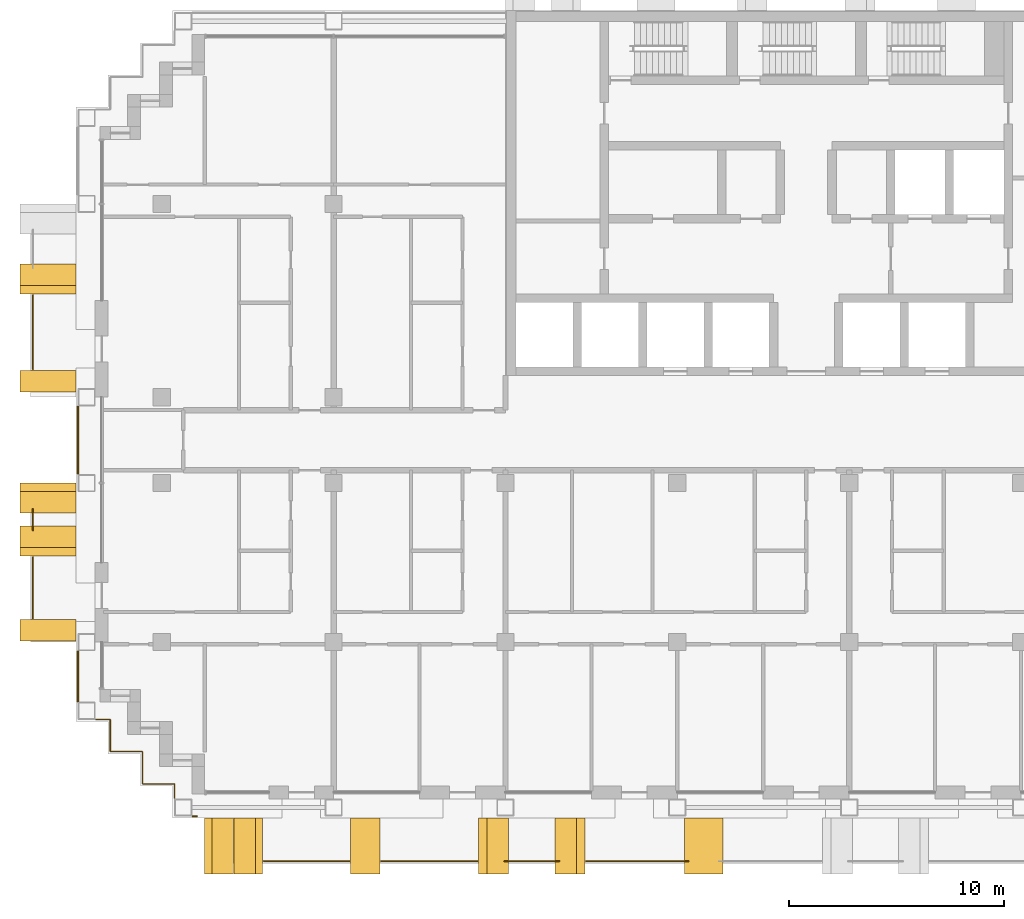
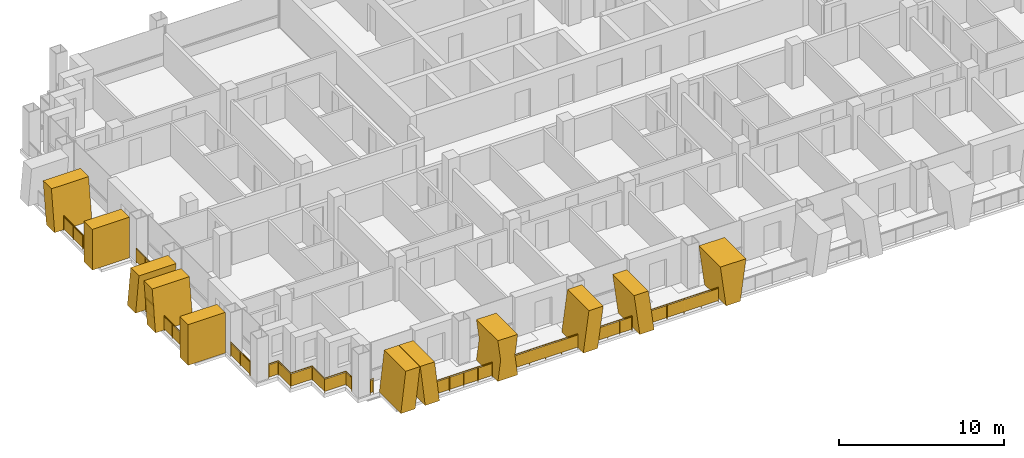
# One storey, part 14 of 17: 11 railings, 11 shading devices.
"""IFC4 building model written with IfcOpenShell, lengths in metres."""

from ifc_helpers import new_model, si_unit, direction, frame, origin, origin_2d, place, context, subcontext, project, spatial, polyline, rectangle, circle, outline, extrude, material, layer, layer_set, type_object, element, save


model = new_model("IFC4")

# Units and contexts
model_context = context("Model", 3, precision=1e-05, world=origin(), true_north=direction((0.0, 1.0)))
body_context = subcontext(model_context, "Body", "Model", "MODEL_VIEW")
ifc_project = project(units=[si_unit("LENGTHUNIT", "METRE"), si_unit("AREAUNIT", "SQUARE_METRE"), si_unit("VOLUMEUNIT", "CUBIC_METRE"), si_unit("PLANEANGLEUNIT", "RADIAN"), si_unit("MASSUNIT", "GRAM", prefix="KILO")], contexts=[model_context])

# Site, building, storey
site_placement = place(None, origin())
site = spatial("IfcSite", under=ifc_project, at=site_placement, CompositionType="ELEMENT")
building_placement = place(site_placement, origin())
building = spatial("IfcBuilding", under=site, at=building_placement, Name="Vidyagriha Tower", CompositionType="ELEMENT")
storey_placement = place(building_placement, frame((0.0, 0.0, 119.800048828125)))
storey = spatial("IfcBuildingStorey", under=building, at=storey_placement, Name="L30", CompositionType="ELEMENT", Elevation=119.800048828125)

# Railings
ifc_material_1 = material(Name="Steel ASTM A500 Grade C black painted", Category="steel")
railing_type_1 = type_object("IfcRailingType", Name="Balcony guard 1100", PredefinedType="BALUSTRADE", material=ifc_material_1)
railing_1_placement = place(storey_placement, frame((-36.0, 6.75, 0.0)))
element("IfcRailing", 1, at=railing_1_placement, inside=storey, type_object=railing_type_1, Name="Balcony guard L30 R16.1-2", PredefinedType="BALUSTRADE", context=body_context, shape_type="SweptSolid", body=[
    extrude(circle(Radius=0.02490234375, at=origin_2d()), frame((0.0, 0.0, 1.0751953125), z_axis=(0.0, -1.0, 0.0), x_axis=(1.0, 0.0, 0.0)), (0.0, 0.0, 1.0), 3.449951171875),
    extrude(circle(Radius=0.02001953125, at=origin_2d()), origin(), (0.0, 0.0, 1.0), 1.050048828125),
    extrude(circle(Radius=0.02001953125, at=origin_2d()), frame((0.0, -1.14990234375, 0.0)), (0.0, 0.0, 1.0), 1.050048828125),
    extrude(circle(Radius=0.02001953125, at=origin_2d()), frame((0.0, -2.300048828125, 0.0)), (0.0, 0.0, 1.0), 1.050048828125),
    extrude(circle(Radius=0.02001953125, at=origin_2d()), frame((0.0, -3.449951171875, 0.0)), (0.0, 0.0, 1.0), 1.050048828125),
    extrude(rectangle(XDim=0.010009765625, YDim=0.900146484375, at=origin_2d()), frame((0.0, 0.0, 0.550048828125), z_axis=(0.0, -1.0, 0.0), x_axis=(1.0, 0.0, 0.0)), (0.0, 0.0, 1.0), 3.449951171875),
])
railing_2_placement = place(storey_placement, frame((-36.0, -3.203369140625, 0.0)))
element("IfcRailing", 2, at=railing_2_placement, inside=storey, type_object=railing_type_1, Name="Balcony guard L30 R16.2-1", PredefinedType="BALUSTRADE", context=body_context, shape_type="SweptSolid", body=[
    extrude(circle(Radius=0.02490234375, at=origin_2d()), frame((0.0, 0.0, 1.0751953125), z_axis=(0.0, -1.0, 0.0), x_axis=(1.0, 0.0, 0.0)), (0.0, 0.0, 1.0), 0.993408203125),
    extrude(circle(Radius=0.02001953125, at=origin_2d()), origin(), (0.0, 0.0, 1.0), 1.050048828125),
    extrude(circle(Radius=0.02001953125, at=origin_2d()), frame((0.0, -0.993408203125, 0.0)), (0.0, 0.0, 1.0), 1.050048828125),
    extrude(rectangle(XDim=0.010009765625, YDim=0.900146484375, at=origin_2d()), frame((0.0, 0.0, 0.550048828125), z_axis=(0.0, -1.0, 0.0), x_axis=(1.0, 0.0, 0.0)), (0.0, 0.0, 1.0), 0.993408203125),
])
railing_3_placement = place(storey_placement, frame((-36.0, -5.449951171875, 0.0)))
element("IfcRailing", 3, at=railing_3_placement, inside=storey, type_object=railing_type_1, Name="Balcony guard L30 R16.2-2", PredefinedType="BALUSTRADE", context=body_context, shape_type="SweptSolid", body=[
    extrude(circle(Radius=0.02490234375, at=origin_2d()), frame((0.0, 0.0, 1.0751953125), z_axis=(0.0, -1.0, 0.0), x_axis=(1.0, 0.0, 0.0)), (0.0, 0.0, 1.0), 2.85009765625),
    extrude(circle(Radius=0.02001953125, at=origin_2d()), origin(), (0.0, 0.0, 1.0), 1.050048828125),
    extrude(circle(Radius=0.02001953125, at=origin_2d()), frame((0.0, -0.949951171875, 0.0)), (0.0, 0.0, 1.0), 1.050048828125),
    extrude(circle(Radius=0.02001953125, at=origin_2d()), frame((0.0, -1.900146484375, 0.0)), (0.0, 0.0, 1.0), 1.050048828125),
    extrude(circle(Radius=0.02001953125, at=origin_2d()), frame((0.0, -2.85009765625, 0.0)), (0.0, 0.0, 1.0), 1.050048828125),
    extrude(rectangle(XDim=0.010009765625, YDim=0.900146484375, at=origin_2d()), frame((0.0, 0.0, 0.550048828125), z_axis=(0.0, -1.0, 0.0), x_axis=(1.0, 0.0, 0.0)), (0.0, 0.0, 1.0), 2.85009765625),
])
railing_4_placement = place(storey_placement, frame((-25.25, -19.60009765625, 0.0)))
element("IfcRailing", 4, at=railing_4_placement, inside=storey, type_object=railing_type_1, Name="Balcony guard L30 R23.1-1", PredefinedType="BALUSTRADE", context=body_context, shape_type="SweptSolid", body=[
    extrude(circle(Radius=0.02490234375, at=origin_2d()), frame((0.0, 0.0, 1.0751953125), z_axis=(1.0, 0.0, 0.0), x_axis=(0.0, 1.0, 0.0)), (0.0, 0.0, 1.0), 3.9833984375),
    extrude(circle(Radius=0.02001953125, at=origin_2d()), origin(), (0.0, 0.0, 1.0), 1.050048828125),
    extrude(circle(Radius=0.02001953125, at=origin_2d()), frame((0.995849609375, 0.0, 0.0)), (0.0, 0.0, 1.0), 1.050048828125),
    extrude(circle(Radius=0.02001953125, at=origin_2d()), frame((1.99169921875, 0.0, 0.0)), (0.0, 0.0, 1.0), 1.050048828125),
    extrude(circle(Radius=0.02001953125, at=origin_2d()), frame((2.987548828125, 0.0, 0.0)), (0.0, 0.0, 1.0), 1.050048828125),
    extrude(circle(Radius=0.02001953125, at=origin_2d()), frame((3.9833984375, 0.0, 0.0)), (0.0, 0.0, 1.0), 1.050048828125),
    extrude(rectangle(XDim=0.010009765625, YDim=0.900146484375, at=origin_2d()), frame((0.0, 0.0, 0.550048828125), z_axis=(1.0, 0.0, 0.0), x_axis=(0.0, 1.0, 0.0)), (0.0, 0.0, 1.0), 3.9833984375),
])
railing_5_placement = place(storey_placement, frame((-19.783203125, -19.60009765625, 0.0)))
element("IfcRailing", 5, at=railing_5_placement, inside=storey, type_object=railing_type_1, Name="Balcony guard L30 R23.1-2", PredefinedType="BALUSTRADE", context=body_context, shape_type="SweptSolid", body=[
    extrude(circle(Radius=0.02490234375, at=origin_2d()), frame((0.0, 0.0, 1.0751953125), z_axis=(1.0, 0.0, 0.0), x_axis=(0.0, 1.0, 0.0)), (0.0, 0.0, 1.0), 4.483154296875),
    extrude(circle(Radius=0.02001953125, at=origin_2d()), origin(), (0.0, 0.0, 1.0), 1.050048828125),
    extrude(circle(Radius=0.02001953125, at=origin_2d()), frame((1.120849609375, 0.0, 0.0)), (0.0, 0.0, 1.0), 1.050048828125),
    extrude(circle(Radius=0.02001953125, at=origin_2d()), frame((2.24169921875, 0.0, 0.0)), (0.0, 0.0, 1.0), 1.050048828125),
    extrude(circle(Radius=0.02001953125, at=origin_2d()), frame((3.3623046875, 0.0, 0.0)), (0.0, 0.0, 1.0), 1.050048828125),
    extrude(circle(Radius=0.02001953125, at=origin_2d()), frame((4.483154296875, 0.0, 0.0)), (0.0, 0.0, 1.0), 1.050048828125),
    extrude(rectangle(XDim=0.010009765625, YDim=0.900146484375, at=origin_2d()), frame((0.0, 0.0, 0.550048828125), z_axis=(1.0, 0.0, 0.0), x_axis=(0.0, 1.0, 0.0)), (0.0, 0.0, 1.0), 4.483154296875),
])
railing_6_placement = place(storey_placement, frame((-14.048583984375, -19.60009765625, 0.0)))
element("IfcRailing", 6, at=railing_6_placement, inside=storey, type_object=railing_type_1, Name="Balcony guard L30 R23.1-3", PredefinedType="BALUSTRADE", context=body_context, shape_type="SweptSolid", body=[
    extrude(circle(Radius=0.02490234375, at=origin_2d()), frame((0.0, 0.0, 1.0751953125), z_axis=(1.0, 0.0, 0.0), x_axis=(0.0, 1.0, 0.0)), (0.0, 0.0, 1.0), 2.547119140625),
    extrude(circle(Radius=0.02001953125, at=origin_2d()), origin(), (0.0, 0.0, 1.0), 1.050048828125),
    extrude(circle(Radius=0.02001953125, at=origin_2d()), frame((0.84912109375, 0.0, 0.0)), (0.0, 0.0, 1.0), 1.050048828125),
    extrude(circle(Radius=0.02001953125, at=origin_2d()), frame((1.697998046875, 0.0, 0.0)), (0.0, 0.0, 1.0), 1.050048828125),
    extrude(circle(Radius=0.02001953125, at=origin_2d()), frame((2.547119140625, 0.0, 0.0)), (0.0, 0.0, 1.0), 1.050048828125),
    extrude(rectangle(XDim=0.010009765625, YDim=0.900146484375, at=origin_2d()), frame((0.0, 0.0, 0.550048828125), z_axis=(1.0, 0.0, 0.0), x_axis=(0.0, 1.0, 0.0)), (0.0, 0.0, 1.0), 2.547119140625),
])
railing_7_placement = place(storey_placement, frame((-10.25, -19.60009765625, 0.0)))
element("IfcRailing", 7, at=railing_7_placement, inside=storey, type_object=railing_type_1, Name="Balcony guard L30 R23.1-4", PredefinedType="BALUSTRADE", context=body_context, shape_type="SweptSolid", body=[
    extrude(circle(Radius=0.02490234375, at=origin_2d()), frame((0.0, 0.0, 1.0751953125), z_axis=(1.0, 0.0, 0.0), x_axis=(0.0, 1.0, 0.0)), (0.0, 0.0, 1.0), 4.773681640625),
    extrude(circle(Radius=0.02001953125, at=origin_2d()), origin(), (0.0, 0.0, 1.0), 1.050048828125),
    extrude(circle(Radius=0.02001953125, at=origin_2d()), frame((1.193359375, 0.0, 0.0)), (0.0, 0.0, 1.0), 1.050048828125),
    extrude(circle(Radius=0.02001953125, at=origin_2d()), frame((2.38671875, 0.0, 0.0)), (0.0, 0.0, 1.0), 1.050048828125),
    extrude(circle(Radius=0.02001953125, at=origin_2d()), frame((3.580322265625, 0.0, 0.0)), (0.0, 0.0, 1.0), 1.050048828125),
    extrude(circle(Radius=0.02001953125, at=origin_2d()), frame((4.773681640625, 0.0, 0.0)), (0.0, 0.0, 1.0), 1.050048828125),
    extrude(rectangle(XDim=0.010009765625, YDim=0.900146484375, at=origin_2d()), frame((0.0, 0.0, 0.550048828125), z_axis=(1.0, 0.0, 0.0), x_axis=(0.0, 1.0, 0.0)), (0.0, 0.0, 1.0), 4.773681640625),
])

# Shading devices
ifc_material_2 = material(Name="Precast concrete C40/50 with buff brick facing", Category="concrete")
ifc_layer_1 = layer(ifc_material_2, 1.0)
ifc_layer_set_1 = layer_set([ifc_layer_1], Name="Precast concrete C40/50 with buff brick facing")
shading_device_type_1 = type_object("IfcShadingDeviceType", Name="Brick-faced blade fin arm leaning 8 degrees", PredefinedType="USERDEFINED", material=ifc_layer_set_1)
shading_device_1_placement = place(storey_placement, frame((-35.300048828125, 8.199951171875, 0.0), z_axis=(0.0, 0.0, 1.0), x_axis=(0.0, -1.0, 0.0)))
element("IfcShadingDevice", 8, at=shading_device_1_placement, inside=storey, type_object=shading_device_type_1, Name="Leaning blade fin L30 R16.300b", ObjectType="BLADE FIN", PredefinedType="USERDEFINED", context=body_context, shape_type="SweptSolid", body=[
    extrude(outline(polyline([(0.39990234375, 0.0), (1.39990234375, 0.0), (1.0, 3.0), (0.0, 3.0), (0.39990234375, 0.0)])), frame((0.0, 1.300048828125, 0.0), z_axis=(0.0, -1.0, 0.0), x_axis=(1.0, 0.0, 0.0)), (0.0, 0.0, 1.0), 2.60009765625),
])
shading_device_2_placement = place(storey_placement, frame((-35.300048828125, -2.0, 0.0), z_axis=(0.0, 0.0, 1.0), x_axis=(0.0, -1.0, 0.0)))
element("IfcShadingDevice", 9, at=shading_device_2_placement, inside=storey, type_object=shading_device_type_1, Name="Leaning blade fin L30 R16.1600a", ObjectType="BLADE FIN", PredefinedType="USERDEFINED", context=body_context, shape_type="SweptSolid", body=[
    extrude(outline(polyline([(0.0, 0.0), (1.0, 0.0), (1.39990234375, 3.0), (0.39990234375, 3.0), (0.0, 0.0)])), frame((0.0, 1.300048828125, 0.0), z_axis=(0.0, -1.0, 0.0), x_axis=(1.0, 0.0, 0.0)), (0.0, 0.0, 1.0), 2.60009765625),
])
shading_device_3_placement = place(storey_placement, frame((-35.300048828125, -4.0, 0.0), z_axis=(0.0, 0.0, 1.0), x_axis=(0.0, -1.0, 0.0)))
element("IfcShadingDevice", 10, at=shading_device_3_placement, inside=storey, type_object=shading_device_type_1, Name="Leaning blade fin L30 R16.1600b", ObjectType="BLADE FIN", PredefinedType="USERDEFINED", context=body_context, shape_type="SweptSolid", body=[
    extrude(outline(polyline([(0.39990234375, 0.0), (1.39990234375, 0.0), (1.0, 3.0), (0.0, 3.0), (0.39990234375, 0.0)])), frame((0.0, 1.300048828125, 0.0), z_axis=(0.0, -1.0, 0.0), x_axis=(1.0, 0.0, 0.0)), (0.0, 0.0, 1.0), 2.60009765625),
])
shading_device_4_placement = place(storey_placement, frame((-28.0, -18.89990234375, 0.0)))
element("IfcShadingDevice", 11, at=shading_device_4_placement, inside=storey, type_object=shading_device_type_1, Name="Leaning blade fin L30 R23.0a", ObjectType="BLADE FIN", PredefinedType="USERDEFINED", context=body_context, shape_type="SweptSolid", body=[
    extrude(outline(polyline([(0.0, 0.0), (1.0, 0.0), (1.340087890625, 3.0), (0.340087890625, 3.0), (0.0, 0.0)])), frame((0.0, 1.300048828125, 0.0), z_axis=(0.0, -1.0, 0.0), x_axis=(1.0, 0.0, 0.0)), (0.0, 0.0, 1.0), 2.60009765625),
])
shading_device_5_placement = place(storey_placement, frame((-26.639892578125, -18.89990234375, 0.0)))
element("IfcShadingDevice", 12, at=shading_device_5_placement, inside=storey, type_object=shading_device_type_1, Name="Leaning blade fin L30 R23.0b", ObjectType="BLADE FIN", PredefinedType="USERDEFINED", context=body_context, shape_type="SweptSolid", body=[
    extrude(outline(polyline([(0.340087890625, 0.0), (1.340087890625, 0.0), (1.0, 3.0), (0.0, 3.0), (0.340087890625, 0.0)])), frame((0.0, 1.300048828125, 0.0), z_axis=(0.0, -1.0, 0.0), x_axis=(1.0, 0.0, 0.0)), (0.0, 0.0, 1.0), 2.60009765625),
])
shading_device_6_placement = place(storey_placement, frame((-15.25, -18.89990234375, 0.0)))
element("IfcShadingDevice", 13, at=shading_device_6_placement, inside=storey, type_object=shading_device_type_1, Name="Leaning blade fin L30 R23.1400a", ObjectType="BLADE FIN", PredefinedType="USERDEFINED", context=body_context, shape_type="SweptSolid", body=[
    extrude(outline(polyline([(0.0, 0.0), (1.0, 0.0), (1.39501953125, 3.0), (0.39501953125, 3.0), (0.0, 0.0)])), frame((0.0, 1.300048828125, 0.0), z_axis=(0.0, -1.0, 0.0), x_axis=(1.0, 0.0, 0.0)), (0.0, 0.0, 1.0), 2.60009765625),
])
shading_device_7_placement = place(storey_placement, frame((-11.695068359375, -18.89990234375, 0.0)))
element("IfcShadingDevice", 14, at=shading_device_7_placement, inside=storey, type_object=shading_device_type_1, Name="Leaning blade fin L30 R23.1400b", ObjectType="BLADE FIN", PredefinedType="USERDEFINED", context=body_context, shape_type="SweptSolid", body=[
    extrude(outline(polyline([(0.39501953125, 0.0), (1.39501953125, 0.0), (1.0, 3.0), (0.0, 3.0), (0.39501953125, 0.0)])), frame((0.0, 1.300048828125, 0.0), z_axis=(0.0, -1.0, 0.0), x_axis=(1.0, 0.0, 0.0)), (0.0, 0.0, 1.0), 2.60009765625),
])
ifc_material_3 = material(Name="Precast concrete C40/50 with buff brick facing", Category="concrete")
ifc_layer_2 = layer(ifc_material_3, 1.0)
ifc_layer_set_2 = layer_set([ifc_layer_2], Name="Precast concrete C40/50 with buff brick facing")
shading_device_type_2 = type_object("IfcShadingDeviceType", Name="Brick-faced blade fin forking 8 degrees", PredefinedType="USERDEFINED", material=ifc_layer_set_2)
shading_device_8_placement = place(storey_placement, frame((-21.216796875, -18.89990234375, 0.0)))
element("IfcShadingDevice", 15, at=shading_device_8_placement, inside=storey, type_object=shading_device_type_2, Name="Forked blade fin L30 R23.600a", ObjectType="BLADE FIN", PredefinedType="USERDEFINED", context=body_context, shape_type="SweptSolid", body=[
    extrude(outline(polyline([(0.0, 0.0), (1.38330078125, 0.0), (1.191650390625, 1.5), (1.38330078125, 3.0), (0.0, 3.0), (0.191650390625, 1.5), (0.0, 0.0)])), frame((0.0, 1.300048828125, 0.0), z_axis=(0.0, -1.0, 0.0), x_axis=(1.0, 0.0, 0.0)), (0.0, 0.0, 1.0), 2.60009765625),
])
shading_device_9_placement = place(storey_placement, frame((-5.669921875, -18.89990234375, 0.0)))
element("IfcShadingDevice", 16, at=shading_device_9_placement, inside=storey, type_object=shading_device_type_2, Name="Forked blade fin L30 R23.2200a", ObjectType="BLADE FIN", PredefinedType="USERDEFINED", context=body_context, shape_type="SweptSolid", body=[
    extrude(outline(polyline([(0.39501953125, 0.0), (1.39501953125, 0.0), (1.7900390625, 3.0), (0.0, 3.0), (0.39501953125, 0.0)])), frame((0.0, 1.300048828125, 0.0), z_axis=(0.0, -1.0, 0.0), x_axis=(1.0, 0.0, 0.0)), (0.0, 0.0, 1.0), 2.60009765625),
])
ifc_material_4 = material(Name="Precast concrete C40/50 with buff brick facing", Category="concrete")
ifc_layer_3 = layer(ifc_material_4, 1.0)
ifc_layer_set_3 = layer_set([ifc_layer_3], Name="Precast concrete C40/50 with buff brick facing")
shading_device_type_3 = type_object("IfcShadingDeviceType", Name="Brick-faced blade fin stem 1000", PredefinedType="USERDEFINED", material=ifc_layer_set_3)
for number, where, z_axis, x_axis, name in (
    (17, (-35.300048828125, 3.25, 0.0), (0.0, 0.0, 1.0), (0.0, -1.0, 0.0), "Stem blade fin L30 R16.1200a"),
    (18, (-35.300048828125, -8.35009765625, 0.0), (0.0, 0.0, 1.0), (0.0, -1.0, 0.0), "Stem blade fin L30 R16.2340a"),
):
    element("IfcShadingDevice", number, at=place(storey_placement, frame(where, z_axis=z_axis, x_axis=x_axis)), inside=storey, type_object=shading_device_type_3, Name=name, ObjectType="BLADE FIN", PredefinedType="USERDEFINED", context=body_context, shape_type="SweptSolid", body=[
        extrude(outline(polyline([(0.0, 0.0), (1.0, 0.0), (1.0, 3.0), (0.0, 3.0), (0.0, 0.0)])), frame((0.0, 1.300048828125, 0.0), z_axis=(0.0, -1.0, 0.0), x_axis=(1.0, 0.0, 0.0)), (0.0, 0.0, 1.0), 2.60009765625),
    ])

# Railings
ifc_material_5 = material(Name="Steel ASTM A500 Grade C black painted", Category="steel")
railing_type_2 = type_object("IfcRailingType", Name="Gallery guard 1100", PredefinedType="GUARDRAIL", material=ifc_material_5)
railing_8_placement = place(storey_placement, frame((-33.89990234375, -12.169921875, 0.0)))
element("IfcRailing", 19, at=railing_8_placement, inside=storey, type_object=railing_type_2, Name="Gallery guard L30 1", PredefinedType="GUARDRAIL", context=body_context, shape_type="SweptSolid", body=[
    extrude(circle(Radius=0.02490234375, at=origin_2d()), frame((0.0, 0.0, 1.0751953125), z_axis=(0.0, 1.0, 0.0), x_axis=(-1.0, 0.0, 0.0)), (0.0, 0.0, 1.0), 2.33984375),
    extrude(circle(Radius=0.02001953125, at=origin_2d()), origin(), (0.0, 0.0, 1.0), 1.050048828125),
    extrude(circle(Radius=0.02001953125, at=origin_2d()), frame((0.0, 1.169921875, 0.0)), (0.0, 0.0, 1.0), 1.050048828125),
    extrude(circle(Radius=0.02001953125, at=origin_2d()), frame((0.0, 2.33984375, 0.0)), (0.0, 0.0, 1.0), 1.050048828125),
    extrude(rectangle(XDim=0.010009765625, YDim=0.900146484375, at=origin_2d()), frame((0.0, 0.0, 0.550048828125), z_axis=(0.0, 1.0, 0.0), x_axis=(-1.0, 0.0, 0.0)), (0.0, 0.0, 1.0), 2.33984375),
])
railing_9_placement = place(storey_placement, frame((-33.89990234375, -1.570068359375, 0.0)))
element("IfcRailing", 20, at=railing_9_placement, inside=storey, type_object=railing_type_2, Name="Gallery guard L30 2", PredefinedType="GUARDRAIL", context=body_context, shape_type="SweptSolid", body=[
    extrude(circle(Radius=0.02490234375, at=origin_2d()), frame((0.0, 0.0, 1.0751953125), z_axis=(0.0, 1.0, 0.0), x_axis=(-1.0, 0.0, 0.0)), (0.0, 0.0, 1.0), 3.14013671875),
    extrude(circle(Radius=0.02001953125, at=origin_2d()), origin(), (0.0, 0.0, 1.0), 1.050048828125),
    extrude(circle(Radius=0.02001953125, at=origin_2d()), frame((0.0, 1.046630859375, 0.0)), (0.0, 0.0, 1.0), 1.050048828125),
    extrude(circle(Radius=0.02001953125, at=origin_2d()), frame((0.0, 2.093505859375, 0.0)), (0.0, 0.0, 1.0), 1.050048828125),
    extrude(circle(Radius=0.02001953125, at=origin_2d()), frame((0.0, 3.14013671875, 0.0)), (0.0, 0.0, 1.0), 1.050048828125),
    extrude(rectangle(XDim=0.010009765625, YDim=0.900146484375, at=origin_2d()), frame((0.0, 0.0, 0.550048828125), z_axis=(0.0, 1.0, 0.0), x_axis=(-1.0, 0.0, 0.0)), (0.0, 0.0, 1.0), 3.14013671875),
])
railing_10_placement = place(storey_placement, frame((-29.39990234375, -16.669921875, 0.0)))
element("IfcRailing", 21, at=railing_10_placement, inside=storey, type_object=railing_type_2, Name="Gallery guard L30 4", PredefinedType="GUARDRAIL", context=body_context, shape_type="SweptSolid", body=[
    extrude(circle(Radius=0.02490234375, at=origin_2d()), frame((0.0, 0.0, 1.0751953125), z_axis=(0.0, 1.0, 0.0), x_axis=(-1.0, 0.0, 0.0)), (0.0, 0.0, 1.0), 0.669921875),
    extrude(circle(Radius=0.02490234375, at=origin_2d()), frame((0.0, 0.669921875, 1.0751953125), z_axis=(-1.0, 0.0, 0.0), x_axis=(0.0, -1.0, 0.0)), (0.0, 0.0, 1.0), 1.5),
    extrude(circle(Radius=0.02490234375, at=origin_2d()), frame((-1.5, 0.669921875, 1.0751953125), z_axis=(0.0, 1.0, 0.0), x_axis=(-1.0, 0.0, 0.0)), (0.0, 0.0, 1.0), 1.5),
    extrude(circle(Radius=0.02490234375, at=origin_2d()), frame((-1.5, 2.169921875, 1.0751953125), z_axis=(-1.0, 0.0, 0.0), x_axis=(0.0, -1.0, 0.0)), (0.0, 0.0, 1.0), 1.5),
    extrude(circle(Radius=0.02490234375, at=origin_2d()), frame((-3.0, 2.169921875, 1.0751953125), z_axis=(0.0, 1.0, 0.0), x_axis=(-1.0, 0.0, 0.0)), (0.0, 0.0, 1.0), 1.5),
    extrude(circle(Radius=0.02490234375, at=origin_2d()), frame((-3.0, 3.669921875, 1.0751953125), z_axis=(-1.0, 0.0, 0.0), x_axis=(0.0, -1.0, 0.0)), (0.0, 0.0, 1.0), 0.670166015625),
    extrude(circle(Radius=0.02001953125, at=origin_2d()), origin(), (0.0, 0.0, 1.0), 1.050048828125),
    extrude(circle(Radius=0.02001953125, at=origin_2d()), frame((0.0, 0.669921875, 0.0)), (0.0, 0.0, 1.0), 1.050048828125),
    extrude(circle(Radius=0.02001953125, at=origin_2d()), frame((-1.5, 0.669921875, 0.0)), (0.0, 0.0, 1.0), 1.050048828125),
    extrude(circle(Radius=0.02001953125, at=origin_2d()), frame((-1.5, 2.169921875, 0.0)), (0.0, 0.0, 1.0), 1.050048828125),
    extrude(circle(Radius=0.02001953125, at=origin_2d()), frame((-3.0, 2.169921875, 0.0)), (0.0, 0.0, 1.0), 1.050048828125),
    extrude(circle(Radius=0.02001953125, at=origin_2d()), frame((-3.0, 3.669921875, 0.0)), (0.0, 0.0, 1.0), 1.050048828125),
    extrude(circle(Radius=0.02001953125, at=origin_2d()), frame((-3.670166015625, 3.669921875, 0.0)), (0.0, 0.0, 1.0), 1.050048828125),
    extrude(rectangle(XDim=0.010009765625, YDim=0.900146484375, at=origin_2d()), frame((0.0, 0.0, 0.550048828125), z_axis=(0.0, 1.0, 0.0), x_axis=(-1.0, 0.0, 0.0)), (0.0, 0.0, 1.0), 0.669921875),
    extrude(rectangle(XDim=0.010009765625, YDim=0.900146484375, at=origin_2d()), frame((0.0, 0.669921875, 0.550048828125), z_axis=(-1.0, 0.0, 0.0), x_axis=(0.0, -1.0, 0.0)), (0.0, 0.0, 1.0), 1.5),
    extrude(rectangle(XDim=0.010009765625, YDim=0.900146484375, at=origin_2d()), frame((-1.5, 0.669921875, 0.550048828125), z_axis=(0.0, 1.0, 0.0), x_axis=(-1.0, 0.0, 0.0)), (0.0, 0.0, 1.0), 1.5),
    extrude(rectangle(XDim=0.010009765625, YDim=0.900146484375, at=origin_2d()), frame((-1.5, 2.169921875, 0.550048828125), z_axis=(-1.0, 0.0, 0.0), x_axis=(0.0, -1.0, 0.0)), (0.0, 0.0, 1.0), 1.5),
    extrude(rectangle(XDim=0.010009765625, YDim=0.900146484375, at=origin_2d()), frame((-3.0, 2.169921875, 0.550048828125), z_axis=(0.0, 1.0, 0.0), x_axis=(-1.0, 0.0, 0.0)), (0.0, 0.0, 1.0), 1.5),
    extrude(rectangle(XDim=0.010009765625, YDim=0.900146484375, at=origin_2d()), frame((-3.0, 3.669921875, 0.550048828125), z_axis=(-1.0, 0.0, 0.0), x_axis=(0.0, -1.0, 0.0)), (0.0, 0.0, 1.0), 0.670166015625),
])
railing_11_placement = place(storey_placement, frame((-28.360107421875, -17.5, 0.0)))
element("IfcRailing", 22, at=railing_11_placement, inside=storey, type_object=railing_type_2, Name="Gallery guard L30 6", PredefinedType="GUARDRAIL", context=body_context, shape_type="SweptSolid", body=[
    extrude(circle(Radius=0.02490234375, at=origin_2d()), frame((0.0, 0.0, 1.0751953125), z_axis=(-1.0, 0.0, 0.0), x_axis=(0.0, -1.0, 0.0)), (0.0, 0.0, 1.0), 0.2099609375),
    extrude(circle(Radius=0.02001953125, at=origin_2d()), origin(), (0.0, 0.0, 1.0), 1.050048828125),
    extrude(circle(Radius=0.02001953125, at=origin_2d()), frame((-0.2099609375, 0.0, 0.0)), (0.0, 0.0, 1.0), 1.050048828125),
    extrude(rectangle(XDim=0.010009765625, YDim=0.900146484375, at=origin_2d()), frame((0.0, 0.0, 0.550048828125), z_axis=(-1.0, 0.0, 0.0), x_axis=(0.0, -1.0, 0.0)), (0.0, 0.0, 1.0), 0.2099609375),
])

save(model, "model.ifc")
